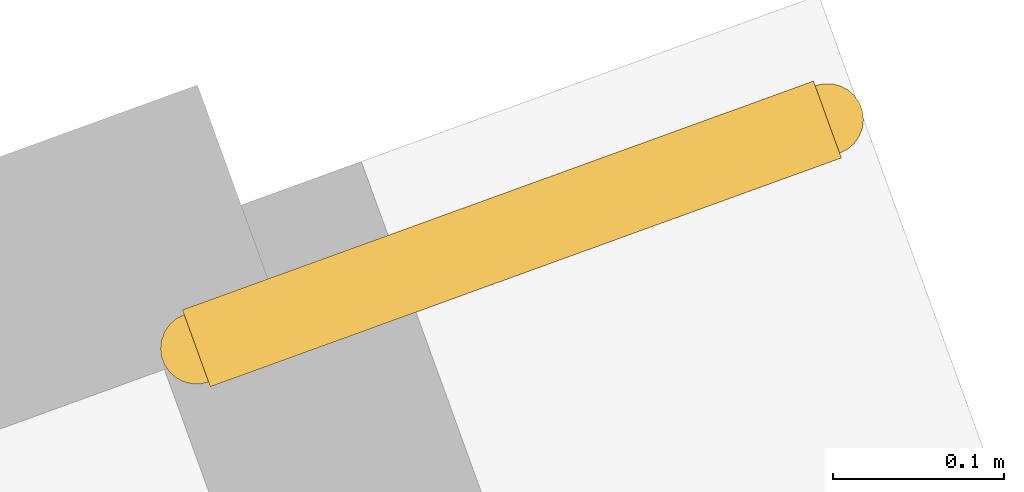
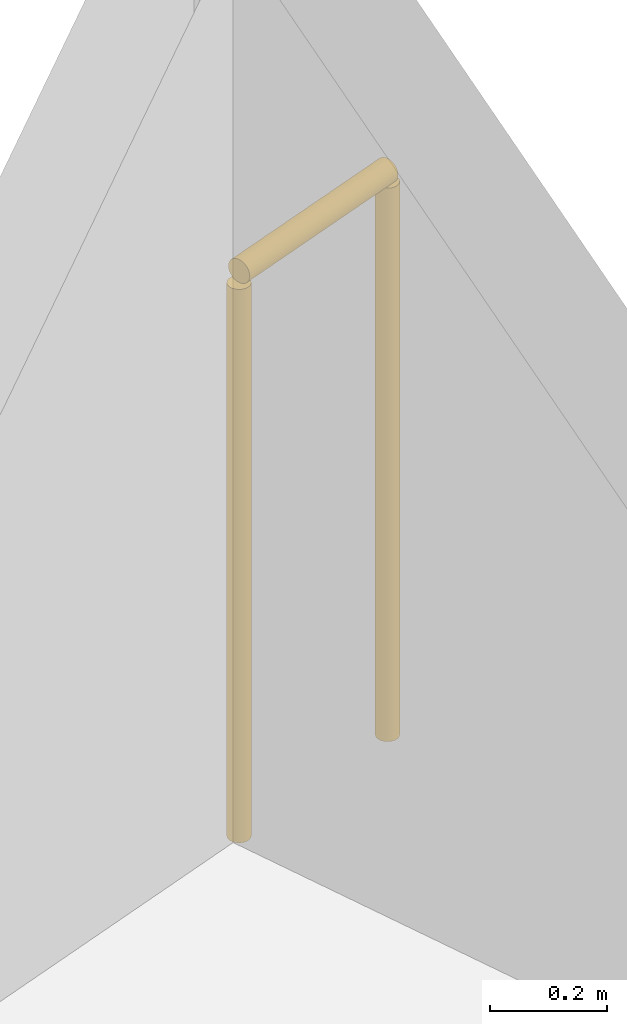
# One storey, part 17 of 17: 1 railing.
"""IFC4 building model written with IfcOpenShell, lengths in metres."""

from ifc_helpers import new_model, si_unit, direction, frame, origin, origin_2d, place, context, subcontext, project, spatial, circle, extrude, material, layer, layer_set, type_object, element, save


model = new_model("IFC4")

# Units and contexts
model_context = context("Model", 3, precision=1e-05, world=origin(), true_north=direction((0.0, 1.0)))
body_context = subcontext(model_context, "Body", "Model", "MODEL_VIEW")
ifc_project = project(units=[si_unit("LENGTHUNIT", "METRE"), si_unit("AREAUNIT", "SQUARE_METRE"), si_unit("VOLUMEUNIT", "CUBIC_METRE"), si_unit("PLANEANGLEUNIT", "RADIAN"), si_unit("MASSUNIT", "GRAM", prefix="KILO")], contexts=[model_context])

# Site, building, storey
site_placement = place(None, origin())
site = spatial("IfcSite", under=ifc_project, at=site_placement, CompositionType="ELEMENT")
building_placement = place(site_placement, origin())
building = spatial("IfcBuilding", under=site, at=building_placement, Name="Gaonmaruhae Medical Tower", CompositionType="ELEMENT")
storey_placement = place(building_placement, frame((0.0, 0.0, 108.39990234375)))
storey = spatial("IfcBuildingStorey", under=building, at=storey_placement, Name="L25", CompositionType="ELEMENT", Elevation=108.39990234375)

# Railing
ifc_material = material(Name="Stainless steel 316L and laminated safety glass", Category="steel")
ifc_layer = layer(ifc_material, 0.080078125)
ifc_layer_set = layer_set([ifc_layer], Name="Stainless steel 316L and laminated safety glass")
railing_type = type_object("IfcRailingType", Name="GD-120 Outdoor Terrace Safety Glass & Steel Balustrade", PredefinedType="BALUSTRADE", material=ifc_layer_set)
railing_placement = place(storey_placement, frame((55.827880859375, 30.34716796875, 0.0)))
element("IfcRailing", 1, at=railing_placement, inside=storey, type_object=railing_type, Name="L25 Perimeter Slab Edge Safety Balustrade 01", PredefinedType="BALUSTRADE", context=body_context, shape_type="SweptSolid", body=[
    extrude(circle(Radius=0.02392578125, at=origin_2d()), frame((0.0, 0.0, 1.17578125), z_axis=(0.940101244468, 0.340895365398, 0.0), x_axis=(-0.340895365398, 0.940101244468, 0.0)), (0.0, 0.0, 1.0), 0.39306640625),
    extrude(circle(Radius=0.02099609375, at=origin_2d()), origin(), (0.0, 0.0, 1.0), 1.15185546875),
    extrude(circle(Radius=0.02099609375, at=origin_2d()), frame((0.36962890625, 0.134033203125, 0.0)), (0.0, 0.0, 1.0), 1.15185546875),
])

save(model, "model.ifc")
